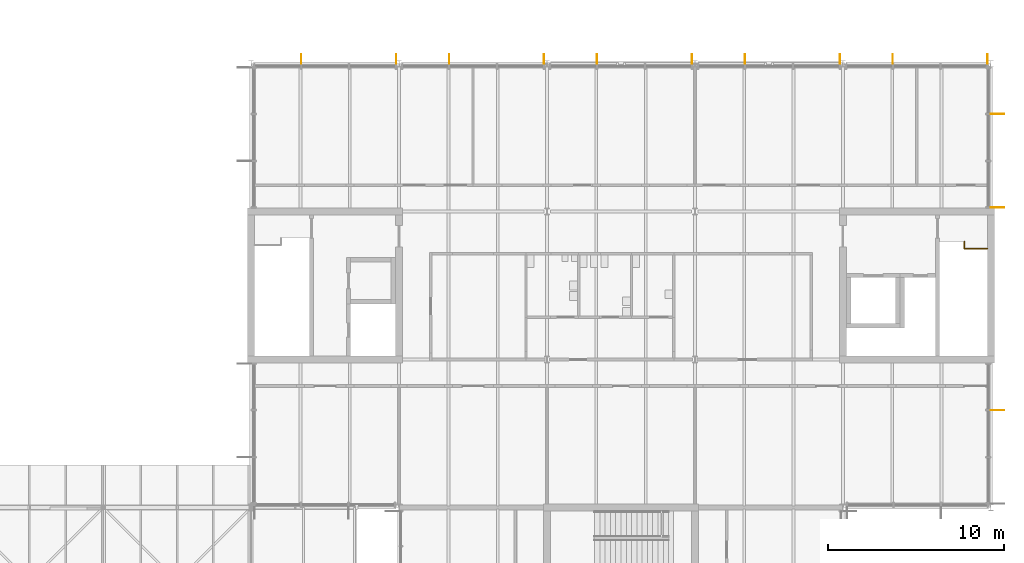
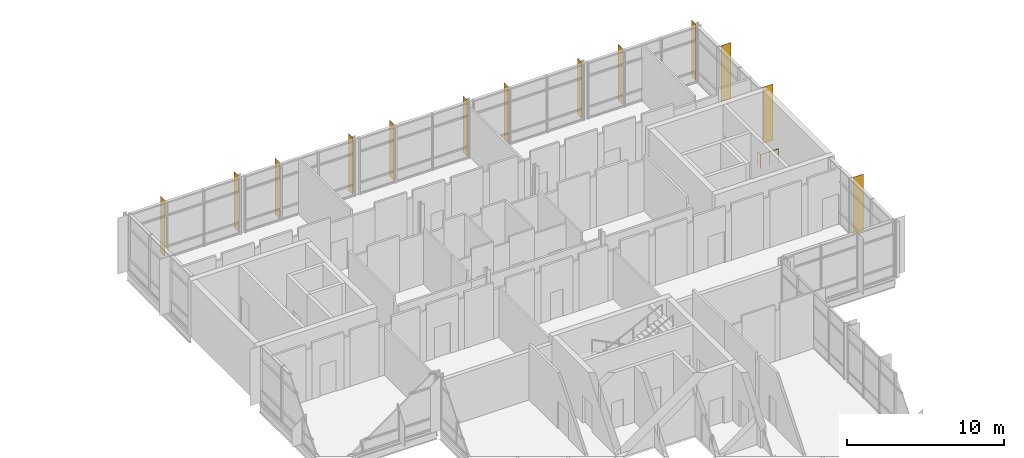
# One storey, part 75 of 76: 13 shading devices, 1 railing.
"""IFC4 building model written with IfcOpenShell, lengths in metres."""

import ifcopenshell
import ifcopenshell.guid

model = None  # the IFC model being written
_history = None  # IfcOwnerHistory: only IFC2X3 demands one
_inside = {}  # id of a spatial element -> (the spatial element, [elements in it])
_under = {}  # id of a project, library or spatial element -> (it, [spatial elements below it])
_declared = {}  # id of a project -> (the project, [libraries it declares])
_typed = {}  # id of a type object -> (the type object, [elements of that type])
_made_of = {}  # id of a material, layer set ... -> (it, [elements and type objects made of it])


def new_model(schema):
    """Start an empty IFC model of exactly this schema.

    Asked for "IFC4X3", IfcOpenShell would pick the latest addendum, in which some entities
    have other attributes; the version numbers below select the first issue.
    IFC2X3 requires an IfcOwnerHistory on every rooted entity: one is made here for all.
    """
    global model, _history
    if schema == "IFC4X3":
        model = ifcopenshell.file(schema_version=(4, 3, 0, 0))
    else:
        model = ifcopenshell.file(schema=schema)
    _inside.clear()
    _under.clear()
    _declared.clear()
    _typed.clear()
    _made_of.clear()
    _history = None
    if model.schema == "IFC2X3":
        org = make("IfcOrganization", Name="unknown")
        user = make(
            "IfcPersonAndOrganization",
            ThePerson=make("IfcPerson", FamilyName="unknown"),
            TheOrganization=org,
        )
        app = make(
            "IfcApplication",
            ApplicationDeveloper=org,
            Version="unknown",
            ApplicationFullName="unknown",
            ApplicationIdentifier="unknown",
        )
        _history = make(
            "IfcOwnerHistory",
            OwningUser=user,
            OwningApplication=app,
            ChangeAction="ADDED",
            CreationDate=0,
        )
    return model


def make(cls, **values):
    """One entity of the class cls with the attributes given. An attribute that is None is left unset."""
    return model.create_entity(
        cls, **{name: value for name, value in values.items() if value is not None}
    )


def rooted(cls, **values):
    """An entity with a GlobalId (a new one), such as an element, a storey or a relation."""
    return make(cls, GlobalId=ifcopenshell.guid.new(), OwnerHistory=_history, **values)


def si_unit(unit_type, name, prefix=None):
    """IfcSIUnit, for example si_unit("LENGTHUNIT", "METRE", prefix="MILLI")."""
    return make("IfcSIUnit", UnitType=unit_type, Prefix=prefix, Name=name)


def assignment(units):
    """IfcUnitAssignment: the units of a project."""
    return None if units is None else make("IfcUnitAssignment", Units=units)


def point(xyz):
    """IfcCartesianPoint."""
    return None if xyz is None else make("IfcCartesianPoint", Coordinates=xyz)


def direction(xyz):
    """IfcDirection."""
    return None if xyz is None else make("IfcDirection", DirectionRatios=xyz)


def frame(location, z_axis=None, x_axis=None):
    """IfcAxis2Placement3D, a coordinate frame: its origin and axes. An axis left out is left unset."""
    return make(
        "IfcAxis2Placement3D",
        Location=point(location),
        Axis=direction(z_axis),
        RefDirection=direction(x_axis),
    )


def frame_2d(location, x_axis=None):
    """IfcAxis2Placement2D, a coordinate frame in the plane: its origin and x axis."""
    return make(
        "IfcAxis2Placement2D", Location=point(location), RefDirection=direction(x_axis)
    )


def origin():
    """The frame at (0, 0, 0) with its axes left unset."""
    return frame((0.0, 0.0, 0.0))


def origin_2d():
    """The frame at (0, 0) in the plane with its x axis left unset."""
    return frame_2d((0.0, 0.0))


def place(relative_to, where):
    """IfcLocalPlacement: puts the frame where relative to a parent placement (None: the world)."""
    return make(
        "IfcLocalPlacement", PlacementRelTo=relative_to, RelativePlacement=where
    )


def context(
    kind, dimensions, precision=None, world=None, true_north=None, identifier=None
):
    """IfcGeometricRepresentationContext, for example the 3D "Model" context."""
    return make(
        "IfcGeometricRepresentationContext",
        ContextIdentifier=identifier,
        ContextType=kind,
        CoordinateSpaceDimension=dimensions,
        Precision=precision,
        WorldCoordinateSystem=world,
        TrueNorth=true_north,
    )


def subcontext(parent, identifier, kind, view, scale=None):
    """IfcGeometricRepresentationSubContext, for example "Body" below "Model"."""
    return make(
        "IfcGeometricRepresentationSubContext",
        ContextIdentifier=identifier,
        ContextType=kind,
        ParentContext=parent,
        TargetScale=scale,
        TargetView=view,
    )


def project(units=None, contexts=None):
    """IfcProject with its units and contexts."""
    return rooted(
        "IfcProject",
        Name="project",
        RepresentationContexts=contexts,
        UnitsInContext=assignment(units),
    )


def spatial(cls, under=None, at=None, **own):
    """A site, building, storey or space (cls), placed at a placement, below another one or the project."""
    s = rooted(cls, ObjectPlacement=at, **own)
    if under is not None:
        _under.setdefault(under.id(), (under, []))[1].append(s)
    return s


def profile(cls, at=None, kind="AREA", **sizes):
    """A parametric profile (cls). Its sizes go by their IFC names, for example OverallWidth=200.0."""
    return make(cls, ProfileType=kind, Position=at, **sizes)


def rectangle(**sizes):
    """IfcRectangleProfileDef."""
    return profile("IfcRectangleProfileDef", **sizes)


def circle(**sizes):
    """IfcCircleProfileDef."""
    return profile("IfcCircleProfileDef", **sizes)


def extrude(swept, where, along, depth):
    """IfcExtrudedAreaSolid: the profile swept, set in the frame where, extruded along a direction by depth."""
    return make(
        "IfcExtrudedAreaSolid",
        SweptArea=swept,
        Position=where,
        ExtrudedDirection=direction(along),
        Depth=depth,
    )


def shape(context_of_items, identifier, shape_type, items):
    """IfcShapeRepresentation: the items that make up one representation, for example the "Body"."""
    return make(
        "IfcShapeRepresentation",
        ContextOfItems=context_of_items,
        RepresentationIdentifier=identifier,
        RepresentationType=shape_type,
        Items=items,
    )


def material(Name=None, Category=None):
    """IfcMaterial."""
    return make("IfcMaterial", Name=Name, Category=Category)


def layer(
    of_material, thickness, ventilated=None, Name=None, Category=None, Priority=None
):
    """IfcMaterialLayer: one layer of a wall or slab, of a material (None: an air gap)."""
    return make(
        "IfcMaterialLayer",
        Material=of_material,
        LayerThickness=thickness,
        IsVentilated=ventilated,
        Name=Name,
        Category=Category,
        Priority=Priority,
    )


def layer_set(layers, Name=None):
    """IfcMaterialLayerSet."""
    return make("IfcMaterialLayerSet", MaterialLayers=layers, LayerSetName=Name)


def made_of(thing, what):
    """Note that an element or type object is made of a material, layer set ...; save() writes the relation."""
    if what is not None:
        _made_of.setdefault(what.id(), (what, []))[1].append(thing)
    return thing


def type_object(cls, material=None, **own):
    """A type object (cls), such as IfcWallType, which elements share."""
    return made_of(rooted(cls, **own), material)


def element(
    cls,
    number,
    at=None,
    inside=None,
    cuts=None,
    type_object=None,
    material=None,
    context=None,
    identifier="Body",
    shape_type=None,
    held_by="IfcProductDefinitionShape",
    body=None,
    shapes=None,
    **own,
):
    """One element of the class cls, such as IfcWall. Its Tag is "e" and its number.

    at: its placement. inside: the storey or other place that contains it. cuts: it is an
    opening in that element (IfcRelVoidsElement). A single representation is given by context,
    identifier, shape_type and body (its items); several are given by shapes. held_by: the class
    of the entity that holds the representations. save() writes the other relations.
    """
    e = rooted(cls, Tag="e%d" % number, ObjectPlacement=at, **own)
    if body is not None:
        shapes = [shape(context, identifier, shape_type, body)]
    if shapes is not None:
        e.Representation = make(held_by, Representations=shapes)
    if inside is not None:
        _inside.setdefault(inside.id(), (inside, []))[1].append(e)
    if cuts is not None:
        rooted(
            "IfcRelVoidsElement", RelatingBuildingElement=cuts, RelatedOpeningElement=e
        )
    if type_object is not None:
        _typed.setdefault(type_object.id(), (type_object, []))[1].append(e)
    return made_of(e, material)


def aggregate(whole, parts):
    """IfcRelAggregates: a whole, such as a stair, and the parts it consists of."""
    return rooted("IfcRelAggregates", RelatingObject=whole, RelatedObjects=parts)


def save(model, path):
    """Write the relations noted so far, then the file.

    IfcRelAggregates (storeys below a building ...), IfcRelContainedInSpatialStructure (elements
    in a storey), IfcRelDefinesByType, IfcRelAssociatesMaterial and IfcRelDeclares: one each for
    every whole, place, type object, material and project.
    """
    for whole, parts in _under.values():
        aggregate(whole, parts)
    for where, things in _inside.values():
        rooted(
            "IfcRelContainedInSpatialStructure",
            RelatedElements=things,
            RelatingStructure=where,
        )
    for kind, things in _typed.values():
        rooted("IfcRelDefinesByType", RelatedObjects=things, RelatingType=kind)
    for what, things in _made_of.values():
        rooted("IfcRelAssociatesMaterial", RelatedObjects=things, RelatingMaterial=what)
    for by, libraries in _declared.values():
        rooted("IfcRelDeclares", RelatingContext=by, RelatedDefinitions=libraries)
    model.write(path)


model = new_model("IFC4")

# Units and contexts
model_context = context("Model", 3, precision=1e-05, world=origin(), true_north=direction((0.0, 1.0)))
body_context = subcontext(model_context, "Body", "Model", "MODEL_VIEW")
ifc_project = project(units=[si_unit("LENGTHUNIT", "METRE"), si_unit("AREAUNIT", "SQUARE_METRE"), si_unit("VOLUMEUNIT", "CUBIC_METRE"), si_unit("PLANEANGLEUNIT", "RADIAN"), si_unit("MASSUNIT", "GRAM", prefix="KILO")], contexts=[model_context])

# Site, building, storey
site_placement = place(None, origin())
site = spatial("IfcSite", under=ifc_project, at=site_placement, CompositionType="ELEMENT")
building_placement = place(site_placement, origin())
building = spatial("IfcBuilding", under=site, at=building_placement, Name="Hlaing Beacon Police Headquarters", CompositionType="ELEMENT")
storey_placement = place(building_placement, frame((0.0, 0.0, 18.89990234375)))
storey = spatial("IfcBuildingStorey", under=building, at=storey_placement, Name="L04", CompositionType="ELEMENT", Elevation=18.89990234375)

# Shading devices
ifc_material_1 = material(Name="Aluminium 6063-T5 anodised", Category="aluminium")
ifc_layer_1 = layer(ifc_material_1, 0.011962890625)
ifc_layer_set_1 = layer_set([ifc_layer_1], Name="Aluminium 6063-T5 anodised")
shading_device_type_1 = type_object("IfcShadingDeviceType", Name="Aluminium fin 12x550", PredefinedType="JALOUSIE", material=ifc_layer_set_1)
for number, where, z_axis, x_axis, name in (
    (1, (134.2099609375, 92.675048828125, 0.0), (0.0, 0.0, 1.0), (-1.0, 0.0, 0.0), "Fin L04 N011.0"),
    (2, (128.83544921875, 92.675048828125, 0.0), (0.0, 0.0, 1.0), (-1.0, 0.0, 0.0), "Fin L04 N011.2"),
    (3, (125.831787109375, 92.675048828125, 0.0), (0.0, 0.0, 1.0), (-1.0, 0.0, 0.0), "Fin L04 N012.0"),
    (4, (120.44287109375, 92.675048828125, 0.0), (0.0, 0.0, 1.0), (-1.0, 0.0, 0.0), "Fin L04 N012.2"),
    (5, (117.431640625, 92.675048828125, 0.0), (0.0, 0.0, 1.0), (-1.0, 0.0, 0.0), "Fin L04 N013.0"),
    (6, (112.042724609375, 92.675048828125, 0.0), (0.0, 0.0, 1.0), (-1.0, 0.0, 0.0), "Fin L04 N013.2"),
    (7, (109.03173828125, 92.675048828125, 0.0), (0.0, 0.0, 1.0), (-1.0, 0.0, 0.0), "Fin L04 N014.0"),
    (8, (103.641845703125, 92.675048828125, 0.0), (0.0, 0.0, 1.0), (-1.0, 0.0, 0.0), "Fin L04 N014.2"),
    (9, (100.633056640625, 92.675048828125, 0.0), (0.0, 0.0, 1.0), (-1.0, 0.0, 0.0), "Fin L04 N015.0"),
    (10, (95.2421875, 92.675048828125, 0.0), (0.0, 0.0, 1.0), (-1.0, 0.0, 0.0), "Fin L04 N015.2"),
):
    element("IfcShadingDevice", number, at=place(storey_placement, frame(where, z_axis=z_axis, x_axis=x_axis)), inside=storey, type_object=shading_device_type_1, Name=name, PredefinedType="JALOUSIE", context=body_context, shape_type="SweptSolid", body=[
        extrude(rectangle(XDim=0.011962890625, YDim=0.550048828125, at=origin_2d()), origin(), (0.0, 0.0, 1.0), 4.3701171875),
    ])
ifc_material_2 = material(Name="Aluminium 6063-T5 anodised", Category="aluminium")
ifc_layer_2 = layer(ifc_material_2, 0.01611328125)
ifc_layer_set_2 = layer_set([ifc_layer_2], Name="Aluminium 6063-T5 anodised")
shading_device_type_2 = type_object("IfcShadingDeviceType", Name="Aluminium fin 16x750", PredefinedType="JALOUSIE", material=ifc_layer_set_2)
for number, where, z_axis, x_axis, name in (
    (11, (134.77490234375, 72.7255859375, 0.0), (0.0, 0.0, 1.0), (0.0, 1.0, 0.0), "Fin L04 E009.2"),
    (12, (134.77490234375, 84.239990234375, 0.0), (0.0, 0.0, 1.0), (0.0, 1.0, 0.0), "Fin L04 E010.0"),
    (13, (134.77490234375, 89.549072265625, 0.0), (0.0, 0.0, 1.0), (0.0, 1.0, 0.0), "Fin L04 E010.2"),
):
    element("IfcShadingDevice", number, at=place(storey_placement, frame(where, z_axis=z_axis, x_axis=x_axis)), inside=storey, type_object=shading_device_type_2, Name=name, PredefinedType="JALOUSIE", context=body_context, shape_type="SweptSolid", body=[
        extrude(rectangle(XDim=0.01611328125, YDim=0.75, at=origin_2d()), origin(), (0.0, 0.0, 1.0), 4.3701171875),
    ])

# Railing
ifc_material_3 = material(Name="Stainless steel", Category="steel")
railing_type = type_object("IfcRailingType", Name="Stair guard 1100", PredefinedType="GUARDRAIL", material=ifc_material_3)
railing_placement = place(storey_placement, frame((134.199951171875, 81.89990234375, 0.0)))
element("IfcRailing", 14, at=railing_placement, inside=storey, type_object=railing_type, Name="Guard ST-R", PredefinedType="GUARDRAIL", context=body_context, shape_type="SweptSolid", body=[
    extrude(circle(Radius=0.02392578125, at=origin_2d()), frame((0.0, 0.0, 1.076171875), z_axis=(-1.0, 0.0, 0.0), x_axis=(0.0, -1.0, 0.0)), (0.0, 0.0, 1.0), 1.300048828125),
    extrude(circle(Radius=0.02392578125, at=origin_2d()), frame((-1.300048828125, 0.0, 1.076171875), z_axis=(0.0, 1.0, 0.0), x_axis=(-1.0, 0.0, 0.0)), (0.0, 0.0, 1.0), 0.400146484375),
    extrude(circle(Radius=0.02099609375, at=origin_2d()), origin(), (0.0, 0.0, 1.0), 1.052001953125),
    extrude(circle(Radius=0.02099609375, at=origin_2d()), frame((-0.64990234375, 0.0, 0.0)), (0.0, 0.0, 1.0), 1.052001953125),
    extrude(circle(Radius=0.02099609375, at=origin_2d()), frame((-1.300048828125, 0.0, 0.0)), (0.0, 0.0, 1.0), 1.052001953125),
    extrude(circle(Radius=0.02099609375, at=origin_2d()), frame((-1.300048828125, 0.400146484375, 0.0)), (0.0, 0.0, 1.0), 1.052001953125),
])

save(model, "model.ifc")
